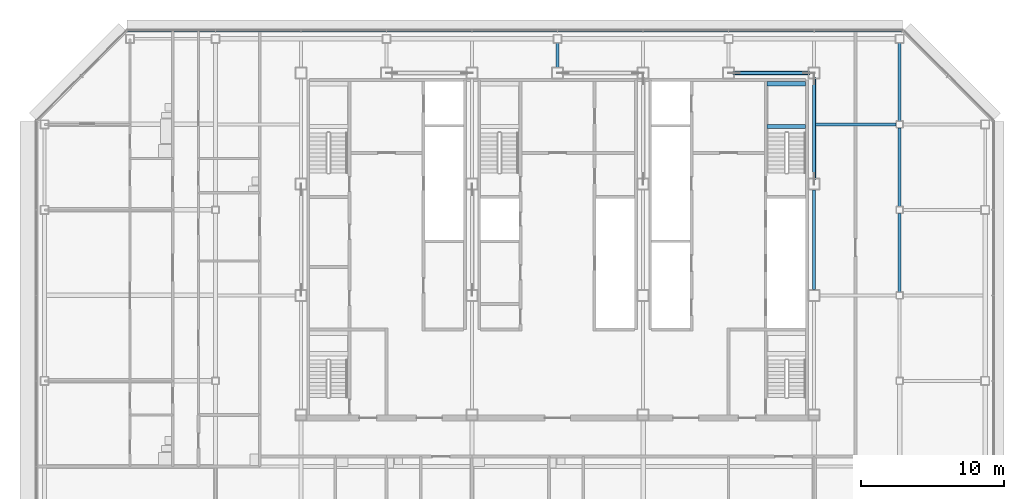
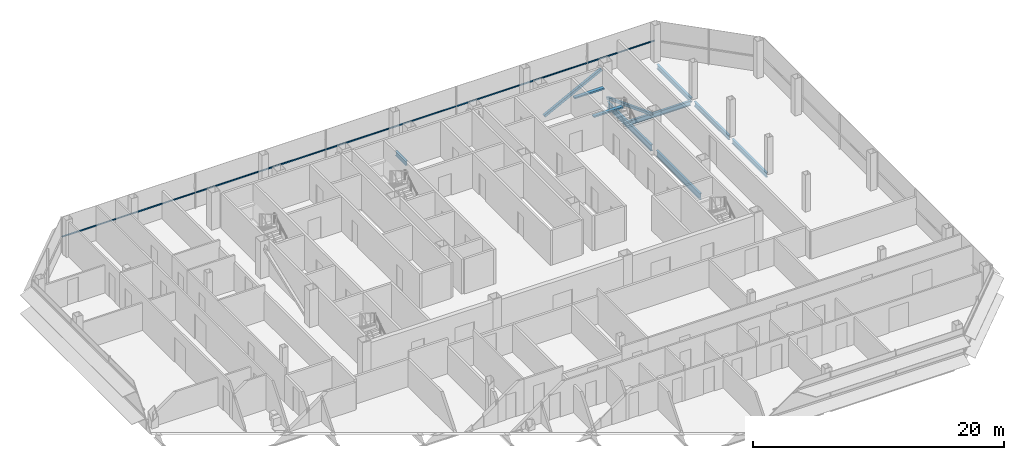
# One storey, part 15 of 28: 9 beams, 3 members, 1 element without a shape of its own.
"""IFC4 building model written with IfcOpenShell, lengths in metres."""

from ifc_helpers import new_model, si_unit, direction, frame, origin, origin_2d, place, context, subcontext, project, spatial, rectangle, hollow_rectangle, i_section, extrude, material, material_profile, profile_set, type_object, element, aggregate, save


model = new_model("IFC4")

# Units and contexts
model_context = context("Model", 3, precision=1e-05, world=origin(), true_north=direction((0.0, 1.0)))
body_context = subcontext(model_context, "Body", "Model", "MODEL_VIEW")
ifc_project = project(units=[si_unit("LENGTHUNIT", "METRE"), si_unit("AREAUNIT", "SQUARE_METRE"), si_unit("VOLUMEUNIT", "CUBIC_METRE"), si_unit("PLANEANGLEUNIT", "RADIAN"), si_unit("MASSUNIT", "GRAM", prefix="KILO")], contexts=[model_context])

# Site, building, storey
site_placement = place(None, origin())
site = spatial("IfcSite", under=ifc_project, at=site_placement, CompositionType="ELEMENT")
building_placement = place(site_placement, origin())
building = spatial("IfcBuilding", under=site, at=building_placement, Name="Sorahane Residences", CompositionType="ELEMENT")
storey_placement = place(building_placement, frame((0.0, 0.0, 254.0)))
storey = spatial("IfcBuildingStorey", under=building, at=storey_placement, Name="L60", CompositionType="ELEMENT", Elevation=254.0)

# Members
ifc_material_1 = material(Name="Steel Q355B", Category="steel")
ifc_material_profile_1 = material_profile(ifc_material_1, hollow_rectangle(XDim=0.25, YDim=0.25, WallThickness=0.013916015625, InnerFilletRadius=0.007080078125, OuterFilletRadius=0.02099609375, at=origin_2d()), Name="RHS 250x250x14")
ifc_profile_set_1 = profile_set([ifc_material_profile_1], Name="Steel Q355B")
member_type_1 = type_object("IfcMemberType", Name="Core brace RHS 250x250x14 Q355B", PredefinedType="BRACE", material=ifc_profile_set_1)
member_1_placement = place(storey_placement, frame((36.36572265625, 45.60009765625, 0.107177734375), z_axis=(0.888873413778, 0.0, 0.458152872171), x_axis=(0.0, 1.0, 0.0)))
element("IfcMember", 1, at=member_1_placement, inside=storey, type_object=member_type_1, Name="Core brace L60 y45.6-6", PredefinedType="BRACE", context=body_context, shape_type="SweptSolid", body=[
    extrude(hollow_rectangle(XDim=0.25, YDim=0.25, WallThickness=0.013916015625, InnerFilletRadius=0.007080078125, OuterFilletRadius=0.02099609375, at=origin_2d()), origin(), (0.0, 0.0, 1.0), 5.92724609375),
])
member_2_placement = place(storey_placement, frame((42.0, 45.226806640625, 0.11474609375), z_axis=(0.0, -0.933900158033, 0.357533907241), x_axis=(1.0, 0.0, 0.0)))
element("IfcMember", 2, at=member_2_placement, inside=storey, type_object=member_type_1, Name="Core brace L60 x42-3", PredefinedType="BRACE", context=body_context, shape_type="SweptSolid", body=[
    extrude(hollow_rectangle(XDim=0.25, YDim=0.25, WallThickness=0.013916015625, InnerFilletRadius=0.007080078125, OuterFilletRadius=0.02099609375, at=origin_2d()), origin(), (0.0, 0.0, 1.0), 7.552978515625),
])

# Curtain wall, member
ifc_material_2 = material(Name="Dark low-e glass and black anodised aluminium", Category="aluminium")
curtain_wall_type = type_object("IfcCurtainWallType", Name="Curtain wall CW-1 Typical unitised wall", PredefinedType="NOTDEFINED", material=ifc_material_2)
curtain_wall_placement = place(storey_placement, origin())
curtain_wall = element("IfcCurtainWall", 3, at=curtain_wall_placement, inside=storey, type_object=curtain_wall_type, Name="CW-1 curtain wall L60 N1", PredefinedType="NOTDEFINED")
ifc_material_3 = material(Name="Black anodised aluminium", Category="aluminium")
ifc_material_profile_2 = material_profile(ifc_material_3, rectangle(XDim=0.10009765625, YDim=0.06005859375, at=origin_2d()), Name="Curtain wall transom CW-1 black anodised aluminium 60x100")
ifc_profile_set_2 = profile_set([ifc_material_profile_2], Name="Black anodised aluminium")
member_type_2 = type_object("IfcMemberType", Name="Curtain wall transom CW-1 black anodised aluminium 60x100", PredefinedType="USERDEFINED", material=ifc_profile_set_2)
member_3_placement = place(storey_placement, frame((48.198486328125, 48.530029296875, 1.5), z_axis=(-1.0, 0.0, 0.0), x_axis=(0.0, -1.0, 0.0)))
member_3 = element("IfcMember", 4, at=member_3_placement, type_object=member_type_2, Name="CW-1 transom L60 N1", ObjectType="TRANSOM", PredefinedType="USERDEFINED", context=body_context, shape_type="SweptSolid", body=[
    extrude(rectangle(XDim=0.10009765625, YDim=0.06005859375, at=origin_2d()), origin(), (0.0, 0.0, 1.0), 54.39697265625),
])
aggregate(curtain_wall, [member_3])

# Beams
ifc_material_4 = material(Name="Concrete C40", Category="concrete")
ifc_material_profile_3 = material_profile(ifc_material_4, rectangle(XDim=0.300048828125, YDim=0.139892578125, at=origin_2d()), Name="300x140")
ifc_profile_set_3 = profile_set([ifc_material_profile_3], Name="Concrete C40")
beam_type_1 = type_object("IfcBeamType", Name="RC landing beam 300 x 140 Concrete C40", PredefinedType="BEAM", material=ifc_profile_set_3)
for number, where, z_axis, x_axis, name in (
    (5, (38.699951171875, 41.85009765625, 1.530029296875), (1.0, 0.0, 0.0), (0.0, 1.0, 0.0), "Landing beam"),
    (6, (38.699951171875, 44.85009765625, 1.530029296875), (1.0, 0.0, 0.0), (0.0, 1.0, 0.0), "Landing beam"),
):
    element("IfcBeam", number, at=place(storey_placement, frame(where, z_axis=z_axis, x_axis=x_axis)), inside=storey, type_object=beam_type_1, Name=name, PredefinedType="BEAM", context=body_context, shape_type="SweptSolid", body=[
        extrude(rectangle(XDim=0.300048828125, YDim=0.139892578125, at=origin_2d()), origin(), (0.0, 0.0, 1.0), 2.699951171875),
    ])
ifc_material_5 = material(Name="Steel Q355B", Category="steel")
ifc_material_profile_4 = material_profile(ifc_material_5, i_section(OverallWidth=0.199951171875, OverallDepth=0.449951171875, WebThickness=0.009033203125, FlangeThickness=0.013916015625, FilletRadius=0.02001953125, at=origin_2d()), Name="HN 450x200x9x14")
ifc_profile_set_4 = profile_set([ifc_material_profile_4], Name="Steel Q355B")
beam_type_2 = type_object("IfcBeamType", Name="Steel floor beam HN 450x200x9x14 Q355B", PredefinedType="BEAM", material=ifc_profile_set_4)
beam_1_placement = place(storey_placement, frame((24.0, 46.0, -0.405029296875), z_axis=(0.0, 1.0, 0.0), x_axis=(-1.0, 0.0, 0.0)))
element("IfcBeam", 7, at=beam_1_placement, inside=storey, type_object=beam_type_2, Name="Beam L60 043", PredefinedType="BEAM", context=body_context, shape_type="SweptSolid", body=[
    extrude(i_section(OverallWidth=0.199951171875, OverallDepth=0.449951171875, WebThickness=0.009033203125, FlangeThickness=0.013916015625, FilletRadius=0.02001953125, at=origin_2d()), origin(), (0.0, 0.0, 1.0), 1.699951171875),
])
for number, where, z_axis, x_axis, name in (
    (8, (48.0, 30.25, -0.405029296875), (0.0, 1.0, 0.0), (-1.0, 0.0, 0.0), "Beam L60 061"),
    (9, (48.0, 36.25, -0.405029296875), (0.0, 1.0, 0.0), (-1.0, 0.0, 0.0), "Beam L60 062"),
):
    element("IfcBeam", number, at=place(storey_placement, frame(where, z_axis=z_axis, x_axis=x_axis)), inside=storey, type_object=beam_type_2, Name=name, PredefinedType="BEAM", context=body_context, shape_type="SweptSolid", body=[
        extrude(i_section(OverallWidth=0.199951171875, OverallDepth=0.449951171875, WebThickness=0.009033203125, FlangeThickness=0.013916015625, FilletRadius=0.02001953125, at=origin_2d()), origin(), (0.0, 0.0, 1.0), 5.5),
    ])
beam_2_placement = place(storey_placement, frame((48.0, 42.25, -0.405029296875), z_axis=(0.0, 1.0, 0.0), x_axis=(-1.0, 0.0, 0.0)))
element("IfcBeam", 10, at=beam_2_placement, inside=storey, type_object=beam_type_2, Name="Beam L60 063", PredefinedType="BEAM", context=body_context, shape_type="SweptSolid", body=[
    extrude(i_section(OverallWidth=0.199951171875, OverallDepth=0.449951171875, WebThickness=0.009033203125, FlangeThickness=0.013916015625, FilletRadius=0.02001953125, at=origin_2d()), origin(), (0.0, 0.0, 1.0), 5.449951171875),
])
beam_3_placement = place(storey_placement, frame((42.10009765625, 42.0, -0.405029296875), z_axis=(1.0, 0.0, 0.0), x_axis=(0.0, 1.0, 0.0)))
element("IfcBeam", 11, at=beam_3_placement, inside=storey, type_object=beam_type_2, Name="Beam L60 091", PredefinedType="BEAM", context=body_context, shape_type="SweptSolid", body=[
    extrude(i_section(OverallWidth=0.199951171875, OverallDepth=0.449951171875, WebThickness=0.009033203125, FlangeThickness=0.013916015625, FilletRadius=0.02001953125, at=origin_2d()), origin(), (0.0, 0.0, 1.0), 5.64990234375),
])
ifc_material_6 = material(Name="Steel Q355B", Category="steel")
ifc_material_profile_5 = material_profile(ifc_material_6, i_section(OverallWidth=0.199951171875, OverallDepth=0.60009765625, WebThickness=0.010986328125, FlangeThickness=0.01708984375, FilletRadius=0.02392578125, at=origin_2d()), Name="HN 600x200x11x17")
ifc_profile_set_5 = profile_set([ifc_material_profile_5], Name="Steel Q355B")
beam_type_3 = type_object("IfcBeamType", Name="Steel floor beam HN 600x200x11x17 Q355B", PredefinedType="BEAM", material=ifc_profile_set_5)
for number, where, z_axis, x_axis, name in (
    (12, (42.0, 30.39990234375, -0.47998046875), (0.0, 1.0, 0.0), (-1.0, 0.0, 0.0), "Beam L60 055"),
    (13, (42.0, 38.199951171875, -0.47998046875), (0.0, 1.0, 0.0), (-1.0, 0.0, 0.0), "Beam L60 056"),
):
    element("IfcBeam", number, at=place(storey_placement, frame(where, z_axis=z_axis, x_axis=x_axis)), inside=storey, type_object=beam_type_3, Name=name, PredefinedType="BEAM", context=body_context, shape_type="SweptSolid", body=[
        extrude(i_section(OverallWidth=0.199951171875, OverallDepth=0.60009765625, WebThickness=0.010986328125, FlangeThickness=0.01708984375, FilletRadius=0.02392578125, at=origin_2d()), origin(), (0.0, 0.0, 1.0), 7.0),
    ])

save(model, "model.ifc")
